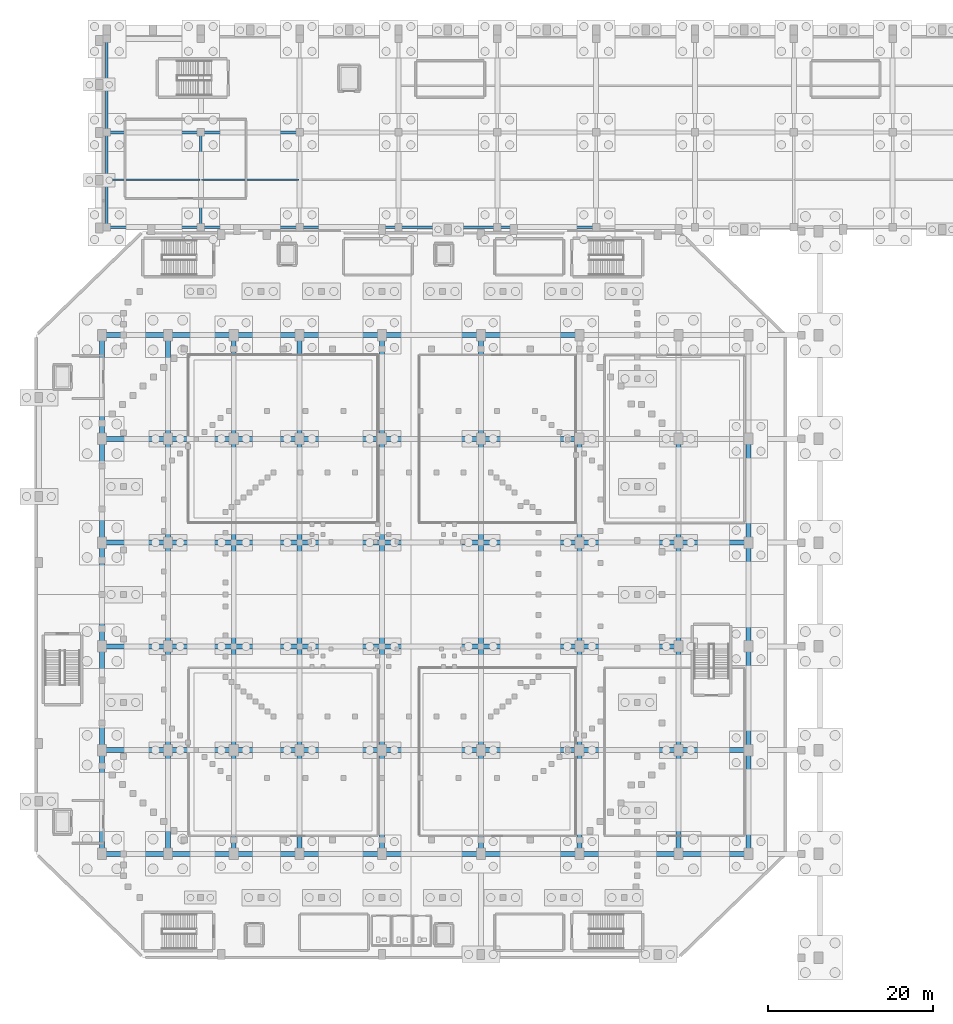
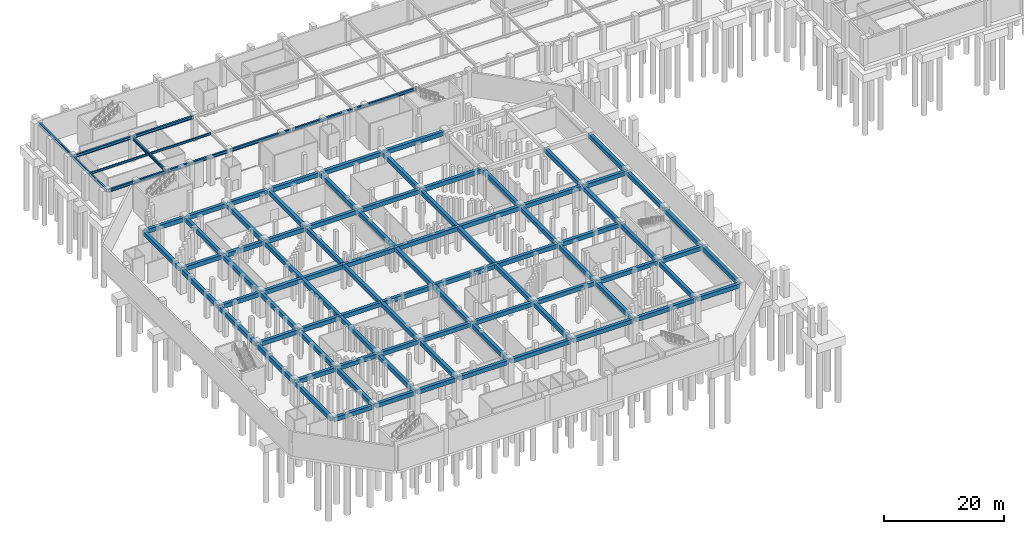
# One storey, part 11 of 27: 97 beams.
"""IFC4 building model written with IfcOpenShell, lengths in metres."""

from ifc_helpers import new_model, si_unit, derived_unit, direction, frame, origin, origin_2d, place, context, subcontext, project, spatial, rectangle, i_section, extrude, material, material_profile, profile_set, type_object, element, save


model = new_model("IFC4")

# Units and contexts
model_context = context("Model", 3, precision=1e-05, world=origin(), true_north=direction((0.0, 1.0)))
body_context = subcontext(model_context, "Body", "Model", "MODEL_VIEW")
ifc_project = project(units=[si_unit("LENGTHUNIT", "METRE"), si_unit("AREAUNIT", "SQUARE_METRE"), si_unit("VOLUMEUNIT", "CUBIC_METRE"), si_unit("PLANEANGLEUNIT", "RADIAN"), si_unit("MASSUNIT", "GRAM", prefix="KILO"), derived_unit("THERMALTRANSMITTANCEUNIT", [(si_unit("MASSUNIT", "GRAM", prefix="KILO"), 1), (si_unit("TIMEUNIT", "SECOND"), -3), (si_unit("THERMODYNAMICTEMPERATUREUNIT", "KELVIN"), -1)])], contexts=[model_context])

# Site, building, storey
site_placement = place(None, origin())
site = spatial("IfcSite", under=ifc_project, at=site_placement, CompositionType="ELEMENT")
building_placement = place(site_placement, origin())
building = spatial("IfcBuilding", under=site, at=building_placement, Name="Valcora Ridge Arena", CompositionType="ELEMENT")
storey_placement = place(building_placement, frame((0.0, 0.0, -5.39990234375)))
storey = spatial("IfcBuildingStorey", under=building, at=storey_placement, Name="B1", CompositionType="ELEMENT", Elevation=-5.39990234375)

# Beams
ifc_material_1 = material(Name="Concrete C40/50", Category="concrete")
ifc_material_profile_1 = material_profile(ifc_material_1, rectangle(XDim=0.60009765625, YDim=0.85009765625, at=origin_2d()), Name="RC 600x850")
ifc_profile_set_1 = profile_set([ifc_material_profile_1], Name="Concrete C40/50")
beam_type_1 = type_object("IfcBeamType", Name="TY-BEAM-BB-RC600-X", PredefinedType="BEAM", material=ifc_profile_set_1)
for number, where, z_axis, x_axis, name in (
    (1, (24.199951171875, 45.199951171875, 4.534912109375), (1.0, 0.0, 0.0), (0.0, 1.0, 0.0), "BB-RC600-X BEM-BB-RC600-X-0001"),
    (2, (32.199951171875, 45.199951171875, 4.534912109375), (1.0, 0.0, 0.0), (0.0, 1.0, 0.0), "BB-RC600-X BEM-BB-RC600-X-0002"),
    (3, (40.199951171875, 45.199951171875, 4.534912109375), (1.0, 0.0, 0.0), (0.0, 1.0, 0.0), "BB-RC600-X BEM-BB-RC600-X-0003"),
):
    element("IfcBeam", number, at=place(storey_placement, frame(where, z_axis=z_axis, x_axis=x_axis)), inside=storey, type_object=beam_type_1, Name=name, PredefinedType="BEAM", context=body_context, shape_type="SweptSolid", body=[
        extrude(rectangle(XDim=0.60009765625, YDim=0.85009765625, at=origin_2d()), origin(), (0.0, 0.0, 1.0), 7.60009765625),
    ])
beam_1_placement = place(storey_placement, frame((48.199951171875, 45.199951171875, 4.534912109375), z_axis=(1.0, 0.0, 0.0), x_axis=(0.0, 1.0, 0.0)))
element("IfcBeam", 4, at=beam_1_placement, inside=storey, type_object=beam_type_1, Name="BB-RC600-X BEM-BB-RC600-X-0004", PredefinedType="BEAM", context=body_context, shape_type="SweptSolid", body=[
    extrude(rectangle(XDim=0.60009765625, YDim=0.85009765625, at=origin_2d()), origin(), (0.0, 0.0, 1.0), 9.60009765625),
])
for number, where, z_axis, x_axis, name in (
    (5, (58.199951171875, 45.199951171875, 4.534912109375), (1.0, 0.0, 0.0), (0.0, 1.0, 0.0), "BB-RC600-X BEM-BB-RC600-X-0005"),
    (6, (70.199951171875, 45.199951171875, 4.534912109375), (1.0, 0.0, 0.0), (0.0, 1.0, 0.0), "BB-RC600-X BEM-BB-RC600-X-0006"),
    (7, (82.199951171875, 45.199951171875, 4.534912109375), (1.0, 0.0, 0.0), (0.0, 1.0, 0.0), "BB-RC600-X BEM-BB-RC600-X-0007"),
):
    element("IfcBeam", number, at=place(storey_placement, frame(where, z_axis=z_axis, x_axis=x_axis)), inside=storey, type_object=beam_type_1, Name=name, PredefinedType="BEAM", context=body_context, shape_type="SweptSolid", body=[
        extrude(rectangle(XDim=0.60009765625, YDim=0.85009765625, at=origin_2d()), origin(), (0.0, 0.0, 1.0), 11.60009765625),
    ])
beam_2_placement = place(storey_placement, frame((94.199951171875, 45.199951171875, 4.534912109375), z_axis=(1.0, 0.0, 0.0), x_axis=(0.0, 1.0, 0.0)))
element("IfcBeam", 8, at=beam_2_placement, inside=storey, type_object=beam_type_1, Name="BB-RC600-X BEM-BB-RC600-X-0008", PredefinedType="BEAM", context=body_context, shape_type="SweptSolid", body=[
    extrude(rectangle(XDim=0.60009765625, YDim=0.85009765625, at=origin_2d()), origin(), (0.0, 0.0, 1.0), 8.10009765625),
])
for number, where, z_axis, x_axis, name in (
    (9, (24.199951171875, 57.800048828125, 4.534912109375), (1.0, 0.0, 0.0), (0.0, 1.0, 0.0), "BB-RC600-X BEM-BB-RC600-X-0009"),
    (10, (32.199951171875, 57.800048828125, 4.534912109375), (1.0, 0.0, 0.0), (0.0, 1.0, 0.0), "BB-RC600-X BEM-BB-RC600-X-0010"),
    (11, (40.199951171875, 57.800048828125, 4.534912109375), (1.0, 0.0, 0.0), (0.0, 1.0, 0.0), "BB-RC600-X BEM-BB-RC600-X-0011"),
):
    element("IfcBeam", number, at=place(storey_placement, frame(where, z_axis=z_axis, x_axis=x_axis)), inside=storey, type_object=beam_type_1, Name=name, PredefinedType="BEAM", context=body_context, shape_type="SweptSolid", body=[
        extrude(rectangle(XDim=0.60009765625, YDim=0.85009765625, at=origin_2d()), origin(), (0.0, 0.0, 1.0), 7.60009765625),
    ])
beam_3_placement = place(storey_placement, frame((48.199951171875, 57.800048828125, 4.534912109375), z_axis=(1.0, 0.0, 0.0), x_axis=(0.0, 1.0, 0.0)))
element("IfcBeam", 12, at=beam_3_placement, inside=storey, type_object=beam_type_1, Name="BB-RC600-X BEM-BB-RC600-X-0012", PredefinedType="BEAM", context=body_context, shape_type="SweptSolid", body=[
    extrude(rectangle(XDim=0.60009765625, YDim=0.85009765625, at=origin_2d()), origin(), (0.0, 0.0, 1.0), 9.60009765625),
])
for number, where, z_axis, x_axis, name in (
    (13, (58.199951171875, 57.800048828125, 4.534912109375), (1.0, 0.0, 0.0), (0.0, 1.0, 0.0), "BB-RC600-X BEM-BB-RC600-X-0013"),
    (14, (70.199951171875, 57.800048828125, 4.534912109375), (1.0, 0.0, 0.0), (0.0, 1.0, 0.0), "BB-RC600-X BEM-BB-RC600-X-0014"),
    (15, (82.199951171875, 57.800048828125, 4.534912109375), (1.0, 0.0, 0.0), (0.0, 1.0, 0.0), "BB-RC600-X BEM-BB-RC600-X-0015"),
):
    element("IfcBeam", number, at=place(storey_placement, frame(where, z_axis=z_axis, x_axis=x_axis)), inside=storey, type_object=beam_type_1, Name=name, PredefinedType="BEAM", context=body_context, shape_type="SweptSolid", body=[
        extrude(rectangle(XDim=0.60009765625, YDim=0.85009765625, at=origin_2d()), origin(), (0.0, 0.0, 1.0), 11.60009765625),
    ])
for number, where, z_axis, x_axis, name in (
    (16, (24.199951171875, 70.39990234375, 4.534912109375), (1.0, 0.0, 0.0), (0.0, 1.0, 0.0), "BB-RC600-X BEM-BB-RC600-X-0016"),
    (17, (32.199951171875, 70.39990234375, 4.534912109375), (1.0, 0.0, 0.0), (0.0, 1.0, 0.0), "BB-RC600-X BEM-BB-RC600-X-0017"),
    (18, (40.199951171875, 70.39990234375, 4.534912109375), (1.0, 0.0, 0.0), (0.0, 1.0, 0.0), "BB-RC600-X BEM-BB-RC600-X-0018"),
):
    element("IfcBeam", number, at=place(storey_placement, frame(where, z_axis=z_axis, x_axis=x_axis)), inside=storey, type_object=beam_type_1, Name=name, PredefinedType="BEAM", context=body_context, shape_type="SweptSolid", body=[
        extrude(rectangle(XDim=0.60009765625, YDim=0.85009765625, at=origin_2d()), origin(), (0.0, 0.0, 1.0), 7.60009765625),
    ])
beam_4_placement = place(storey_placement, frame((48.199951171875, 70.39990234375, 4.534912109375), z_axis=(1.0, 0.0, 0.0), x_axis=(0.0, 1.0, 0.0)))
element("IfcBeam", 19, at=beam_4_placement, inside=storey, type_object=beam_type_1, Name="BB-RC600-X BEM-BB-RC600-X-0019", PredefinedType="BEAM", context=body_context, shape_type="SweptSolid", body=[
    extrude(rectangle(XDim=0.60009765625, YDim=0.85009765625, at=origin_2d()), origin(), (0.0, 0.0, 1.0), 9.60009765625),
])
for number, where, z_axis, x_axis, name in (
    (20, (58.199951171875, 70.39990234375, 4.534912109375), (1.0, 0.0, 0.0), (0.0, 1.0, 0.0), "BB-RC600-X BEM-BB-RC600-X-0020"),
    (21, (70.199951171875, 70.39990234375, 4.534912109375), (1.0, 0.0, 0.0), (0.0, 1.0, 0.0), "BB-RC600-X BEM-BB-RC600-X-0021"),
    (22, (82.199951171875, 70.39990234375, 4.534912109375), (1.0, 0.0, 0.0), (0.0, 1.0, 0.0), "BB-RC600-X BEM-BB-RC600-X-0022"),
):
    element("IfcBeam", number, at=place(storey_placement, frame(where, z_axis=z_axis, x_axis=x_axis)), inside=storey, type_object=beam_type_1, Name=name, PredefinedType="BEAM", context=body_context, shape_type="SweptSolid", body=[
        extrude(rectangle(XDim=0.60009765625, YDim=0.85009765625, at=origin_2d()), origin(), (0.0, 0.0, 1.0), 11.60009765625),
    ])
beam_5_placement = place(storey_placement, frame((94.199951171875, 70.39990234375, 4.534912109375), z_axis=(1.0, 0.0, 0.0), x_axis=(0.0, 1.0, 0.0)))
element("IfcBeam", 23, at=beam_5_placement, inside=storey, type_object=beam_type_1, Name="BB-RC600-X BEM-BB-RC600-X-0023", PredefinedType="BEAM", context=body_context, shape_type="SweptSolid", body=[
    extrude(rectangle(XDim=0.60009765625, YDim=0.85009765625, at=origin_2d()), origin(), (0.0, 0.0, 1.0), 8.10009765625),
])
for number, where, z_axis, x_axis, name in (
    (24, (24.199951171875, 83.0, 4.534912109375), (1.0, 0.0, 0.0), (0.0, 1.0, 0.0), "BB-RC600-X BEM-BB-RC600-X-0024"),
    (25, (32.199951171875, 83.0, 4.534912109375), (1.0, 0.0, 0.0), (0.0, 1.0, 0.0), "BB-RC600-X BEM-BB-RC600-X-0025"),
    (26, (40.199951171875, 83.0, 4.534912109375), (1.0, 0.0, 0.0), (0.0, 1.0, 0.0), "BB-RC600-X BEM-BB-RC600-X-0026"),
):
    element("IfcBeam", number, at=place(storey_placement, frame(where, z_axis=z_axis, x_axis=x_axis)), inside=storey, type_object=beam_type_1, Name=name, PredefinedType="BEAM", context=body_context, shape_type="SweptSolid", body=[
        extrude(rectangle(XDim=0.60009765625, YDim=0.85009765625, at=origin_2d()), origin(), (0.0, 0.0, 1.0), 7.60009765625),
    ])
beam_6_placement = place(storey_placement, frame((48.199951171875, 83.0, 4.534912109375), z_axis=(1.0, 0.0, 0.0), x_axis=(0.0, 1.0, 0.0)))
element("IfcBeam", 27, at=beam_6_placement, inside=storey, type_object=beam_type_1, Name="BB-RC600-X BEM-BB-RC600-X-0027", PredefinedType="BEAM", context=body_context, shape_type="SweptSolid", body=[
    extrude(rectangle(XDim=0.60009765625, YDim=0.85009765625, at=origin_2d()), origin(), (0.0, 0.0, 1.0), 9.60009765625),
])
for number, where, z_axis, x_axis, name in (
    (28, (58.199951171875, 83.0, 4.534912109375), (1.0, 0.0, 0.0), (0.0, 1.0, 0.0), "BB-RC600-X BEM-BB-RC600-X-0028"),
    (29, (70.199951171875, 83.0, 4.534912109375), (1.0, 0.0, 0.0), (0.0, 1.0, 0.0), "BB-RC600-X BEM-BB-RC600-X-0029"),
):
    element("IfcBeam", number, at=place(storey_placement, frame(where, z_axis=z_axis, x_axis=x_axis)), inside=storey, type_object=beam_type_1, Name=name, PredefinedType="BEAM", context=body_context, shape_type="SweptSolid", body=[
        extrude(rectangle(XDim=0.60009765625, YDim=0.85009765625, at=origin_2d()), origin(), (0.0, 0.0, 1.0), 11.60009765625),
    ])
ifc_material_profile_2 = material_profile(ifc_material_1, rectangle(XDim=0.60009765625, YDim=0.85009765625, at=origin_2d()), Name="RC 600x850")
ifc_profile_set_2 = profile_set([ifc_material_profile_2], Name="Concrete C40/50")
beam_type_2 = type_object("IfcBeamType", Name="TY-BEAM-BB-RC600-Y", PredefinedType="BEAM", material=ifc_profile_set_2)
beam_7_placement = place(storey_placement, frame((24.0, 32.800048828125, 4.534912109375), z_axis=(0.0, 1.0, 0.0), x_axis=(-1.0, 0.0, 0.0)))
element("IfcBeam", 30, at=beam_7_placement, inside=storey, type_object=beam_type_2, Name="BB-RC600-Y BEM-BB-RC600-Y-0001", PredefinedType="BEAM", context=body_context, shape_type="SweptSolid", body=[
    extrude(rectangle(XDim=0.60009765625, YDim=0.85009765625, at=origin_2d()), origin(), (0.0, 0.0, 1.0), 12.199951171875),
])
beam_8_placement = place(storey_placement, frame((24.0, 45.39990234375, 4.534912109375), z_axis=(0.0, 1.0, 0.0), x_axis=(-1.0, 0.0, 0.0)))
element("IfcBeam", 31, at=beam_8_placement, inside=storey, type_object=beam_type_2, Name="BB-RC600-Y BEM-BB-RC600-Y-0002", PredefinedType="BEAM", context=body_context, shape_type="SweptSolid", body=[
    extrude(rectangle(XDim=0.60009765625, YDim=0.85009765625, at=origin_2d()), origin(), (0.0, 0.0, 1.0), 12.2001953125),
])
for number, where, z_axis, x_axis, name in (
    (32, (24.0, 58.0, 4.534912109375), (0.0, 1.0, 0.0), (-1.0, 0.0, 0.0), "BB-RC600-Y BEM-BB-RC600-Y-0003"),
    (33, (24.0, 70.60009765625, 4.534912109375), (0.0, 1.0, 0.0), (-1.0, 0.0, 0.0), "BB-RC600-Y BEM-BB-RC600-Y-0004"),
    (34, (24.0, 83.199951171875, 4.534912109375), (0.0, 1.0, 0.0), (-1.0, 0.0, 0.0), "BB-RC600-Y BEM-BB-RC600-Y-0005"),
    (35, (32.0, 32.800048828125, 4.534912109375), (0.0, 1.0, 0.0), (-1.0, 0.0, 0.0), "BB-RC600-Y BEM-BB-RC600-Y-0006"),
):
    element("IfcBeam", number, at=place(storey_placement, frame(where, z_axis=z_axis, x_axis=x_axis)), inside=storey, type_object=beam_type_2, Name=name, PredefinedType="BEAM", context=body_context, shape_type="SweptSolid", body=[
        extrude(rectangle(XDim=0.60009765625, YDim=0.85009765625, at=origin_2d()), origin(), (0.0, 0.0, 1.0), 12.199951171875),
    ])
beam_9_placement = place(storey_placement, frame((32.0, 45.39990234375, 4.534912109375), z_axis=(0.0, 1.0, 0.0), x_axis=(-1.0, 0.0, 0.0)))
element("IfcBeam", 36, at=beam_9_placement, inside=storey, type_object=beam_type_2, Name="BB-RC600-Y BEM-BB-RC600-Y-0007", PredefinedType="BEAM", context=body_context, shape_type="SweptSolid", body=[
    extrude(rectangle(XDim=0.60009765625, YDim=0.85009765625, at=origin_2d()), origin(), (0.0, 0.0, 1.0), 12.2001953125),
])
for number, where, z_axis, x_axis, name in (
    (37, (32.0, 58.0, 4.534912109375), (0.0, 1.0, 0.0), (-1.0, 0.0, 0.0), "BB-RC600-Y BEM-BB-RC600-Y-0008"),
    (38, (32.0, 70.60009765625, 4.534912109375), (0.0, 1.0, 0.0), (-1.0, 0.0, 0.0), "BB-RC600-Y BEM-BB-RC600-Y-0009"),
    (39, (32.0, 83.199951171875, 4.534912109375), (0.0, 1.0, 0.0), (-1.0, 0.0, 0.0), "BB-RC600-Y BEM-BB-RC600-Y-0010"),
    (40, (40.0, 32.800048828125, 4.534912109375), (0.0, 1.0, 0.0), (-1.0, 0.0, 0.0), "BB-RC600-Y BEM-BB-RC600-Y-0011"),
):
    element("IfcBeam", number, at=place(storey_placement, frame(where, z_axis=z_axis, x_axis=x_axis)), inside=storey, type_object=beam_type_2, Name=name, PredefinedType="BEAM", context=body_context, shape_type="SweptSolid", body=[
        extrude(rectangle(XDim=0.60009765625, YDim=0.85009765625, at=origin_2d()), origin(), (0.0, 0.0, 1.0), 12.199951171875),
    ])
beam_10_placement = place(storey_placement, frame((40.0, 45.39990234375, 4.534912109375), z_axis=(0.0, 1.0, 0.0), x_axis=(-1.0, 0.0, 0.0)))
element("IfcBeam", 41, at=beam_10_placement, inside=storey, type_object=beam_type_2, Name="BB-RC600-Y BEM-BB-RC600-Y-0012", PredefinedType="BEAM", context=body_context, shape_type="SweptSolid", body=[
    extrude(rectangle(XDim=0.60009765625, YDim=0.85009765625, at=origin_2d()), origin(), (0.0, 0.0, 1.0), 12.2001953125),
])
for number, where, z_axis, x_axis, name in (
    (42, (40.0, 58.0, 4.534912109375), (0.0, 1.0, 0.0), (-1.0, 0.0, 0.0), "BB-RC600-Y BEM-BB-RC600-Y-0013"),
    (43, (40.0, 70.60009765625, 4.534912109375), (0.0, 1.0, 0.0), (-1.0, 0.0, 0.0), "BB-RC600-Y BEM-BB-RC600-Y-0014"),
    (44, (40.0, 83.199951171875, 4.534912109375), (0.0, 1.0, 0.0), (-1.0, 0.0, 0.0), "BB-RC600-Y BEM-BB-RC600-Y-0015"),
    (45, (48.0, 32.800048828125, 4.534912109375), (0.0, 1.0, 0.0), (-1.0, 0.0, 0.0), "BB-RC600-Y BEM-BB-RC600-Y-0016"),
):
    element("IfcBeam", number, at=place(storey_placement, frame(where, z_axis=z_axis, x_axis=x_axis)), inside=storey, type_object=beam_type_2, Name=name, PredefinedType="BEAM", context=body_context, shape_type="SweptSolid", body=[
        extrude(rectangle(XDim=0.60009765625, YDim=0.85009765625, at=origin_2d()), origin(), (0.0, 0.0, 1.0), 12.199951171875),
    ])
beam_11_placement = place(storey_placement, frame((48.0, 45.39990234375, 4.534912109375), z_axis=(0.0, 1.0, 0.0), x_axis=(-1.0, 0.0, 0.0)))
element("IfcBeam", 46, at=beam_11_placement, inside=storey, type_object=beam_type_2, Name="BB-RC600-Y BEM-BB-RC600-Y-0017", PredefinedType="BEAM", context=body_context, shape_type="SweptSolid", body=[
    extrude(rectangle(XDim=0.60009765625, YDim=0.85009765625, at=origin_2d()), origin(), (0.0, 0.0, 1.0), 12.2001953125),
])
for number, where, z_axis, x_axis, name in (
    (47, (48.0, 58.0, 4.534912109375), (0.0, 1.0, 0.0), (-1.0, 0.0, 0.0), "BB-RC600-Y BEM-BB-RC600-Y-0018"),
    (48, (48.0, 70.60009765625, 4.534912109375), (0.0, 1.0, 0.0), (-1.0, 0.0, 0.0), "BB-RC600-Y BEM-BB-RC600-Y-0019"),
    (49, (48.0, 83.199951171875, 4.534912109375), (0.0, 1.0, 0.0), (-1.0, 0.0, 0.0), "BB-RC600-Y BEM-BB-RC600-Y-0020"),
    (50, (58.0, 32.800048828125, 4.534912109375), (0.0, 1.0, 0.0), (-1.0, 0.0, 0.0), "BB-RC600-Y BEM-BB-RC600-Y-0021"),
):
    element("IfcBeam", number, at=place(storey_placement, frame(where, z_axis=z_axis, x_axis=x_axis)), inside=storey, type_object=beam_type_2, Name=name, PredefinedType="BEAM", context=body_context, shape_type="SweptSolid", body=[
        extrude(rectangle(XDim=0.60009765625, YDim=0.85009765625, at=origin_2d()), origin(), (0.0, 0.0, 1.0), 12.199951171875),
    ])
beam_12_placement = place(storey_placement, frame((58.0, 45.39990234375, 4.534912109375), z_axis=(0.0, 1.0, 0.0), x_axis=(-1.0, 0.0, 0.0)))
element("IfcBeam", 51, at=beam_12_placement, inside=storey, type_object=beam_type_2, Name="BB-RC600-Y BEM-BB-RC600-Y-0022", PredefinedType="BEAM", context=body_context, shape_type="SweptSolid", body=[
    extrude(rectangle(XDim=0.60009765625, YDim=0.85009765625, at=origin_2d()), origin(), (0.0, 0.0, 1.0), 12.2001953125),
])
for number, where, z_axis, x_axis, name in (
    (52, (58.0, 58.0, 4.534912109375), (0.0, 1.0, 0.0), (-1.0, 0.0, 0.0), "BB-RC600-Y BEM-BB-RC600-Y-0023"),
    (53, (58.0, 70.60009765625, 4.534912109375), (0.0, 1.0, 0.0), (-1.0, 0.0, 0.0), "BB-RC600-Y BEM-BB-RC600-Y-0024"),
    (54, (58.0, 83.199951171875, 4.534912109375), (0.0, 1.0, 0.0), (-1.0, 0.0, 0.0), "BB-RC600-Y BEM-BB-RC600-Y-0025"),
    (55, (70.0, 32.800048828125, 4.534912109375), (0.0, 1.0, 0.0), (-1.0, 0.0, 0.0), "BB-RC600-Y BEM-BB-RC600-Y-0026"),
):
    element("IfcBeam", number, at=place(storey_placement, frame(where, z_axis=z_axis, x_axis=x_axis)), inside=storey, type_object=beam_type_2, Name=name, PredefinedType="BEAM", context=body_context, shape_type="SweptSolid", body=[
        extrude(rectangle(XDim=0.60009765625, YDim=0.85009765625, at=origin_2d()), origin(), (0.0, 0.0, 1.0), 12.199951171875),
    ])
beam_13_placement = place(storey_placement, frame((70.0, 45.39990234375, 4.534912109375), z_axis=(0.0, 1.0, 0.0), x_axis=(-1.0, 0.0, 0.0)))
element("IfcBeam", 56, at=beam_13_placement, inside=storey, type_object=beam_type_2, Name="BB-RC600-Y BEM-BB-RC600-Y-0027", PredefinedType="BEAM", context=body_context, shape_type="SweptSolid", body=[
    extrude(rectangle(XDim=0.60009765625, YDim=0.85009765625, at=origin_2d()), origin(), (0.0, 0.0, 1.0), 12.2001953125),
])
for number, where, z_axis, x_axis, name in (
    (57, (70.0, 58.0, 4.534912109375), (0.0, 1.0, 0.0), (-1.0, 0.0, 0.0), "BB-RC600-Y BEM-BB-RC600-Y-0028"),
    (58, (70.0, 70.60009765625, 4.534912109375), (0.0, 1.0, 0.0), (-1.0, 0.0, 0.0), "BB-RC600-Y BEM-BB-RC600-Y-0029"),
    (59, (70.0, 83.199951171875, 4.534912109375), (0.0, 1.0, 0.0), (-1.0, 0.0, 0.0), "BB-RC600-Y BEM-BB-RC600-Y-0030"),
    (60, (82.0, 32.800048828125, 4.534912109375), (0.0, 1.0, 0.0), (-1.0, 0.0, 0.0), "BB-RC600-Y BEM-BB-RC600-Y-0031"),
):
    element("IfcBeam", number, at=place(storey_placement, frame(where, z_axis=z_axis, x_axis=x_axis)), inside=storey, type_object=beam_type_2, Name=name, PredefinedType="BEAM", context=body_context, shape_type="SweptSolid", body=[
        extrude(rectangle(XDim=0.60009765625, YDim=0.85009765625, at=origin_2d()), origin(), (0.0, 0.0, 1.0), 12.199951171875),
    ])
beam_14_placement = place(storey_placement, frame((82.0, 45.39990234375, 4.534912109375), z_axis=(0.0, 1.0, 0.0), x_axis=(-1.0, 0.0, 0.0)))
element("IfcBeam", 61, at=beam_14_placement, inside=storey, type_object=beam_type_2, Name="BB-RC600-Y BEM-BB-RC600-Y-0032", PredefinedType="BEAM", context=body_context, shape_type="SweptSolid", body=[
    extrude(rectangle(XDim=0.60009765625, YDim=0.85009765625, at=origin_2d()), origin(), (0.0, 0.0, 1.0), 12.2001953125),
])
for number, where, z_axis, x_axis, name in (
    (62, (82.0, 58.0, 4.534912109375), (0.0, 1.0, 0.0), (-1.0, 0.0, 0.0), "BB-RC600-Y BEM-BB-RC600-Y-0033"),
    (63, (82.0, 70.60009765625, 4.534912109375), (0.0, 1.0, 0.0), (-1.0, 0.0, 0.0), "BB-RC600-Y BEM-BB-RC600-Y-0034"),
    (64, (94.0, 32.800048828125, 4.534912109375), (0.0, 1.0, 0.0), (-1.0, 0.0, 0.0), "BB-RC600-Y BEM-BB-RC600-Y-0036"),
):
    element("IfcBeam", number, at=place(storey_placement, frame(where, z_axis=z_axis, x_axis=x_axis)), inside=storey, type_object=beam_type_2, Name=name, PredefinedType="BEAM", context=body_context, shape_type="SweptSolid", body=[
        extrude(rectangle(XDim=0.60009765625, YDim=0.85009765625, at=origin_2d()), origin(), (0.0, 0.0, 1.0), 12.199951171875),
    ])
beam_15_placement = place(storey_placement, frame((94.0, 45.39990234375, 4.534912109375), z_axis=(0.0, 1.0, 0.0), x_axis=(-1.0, 0.0, 0.0)))
element("IfcBeam", 65, at=beam_15_placement, inside=storey, type_object=beam_type_2, Name="BB-RC600-Y BEM-BB-RC600-Y-0037", PredefinedType="BEAM", context=body_context, shape_type="SweptSolid", body=[
    extrude(rectangle(XDim=0.60009765625, YDim=0.85009765625, at=origin_2d()), origin(), (0.0, 0.0, 1.0), 12.2001953125),
])
for number, where, z_axis, x_axis, name in (
    (66, (94.0, 58.0, 4.534912109375), (0.0, 1.0, 0.0), (-1.0, 0.0, 0.0), "BB-RC600-Y BEM-BB-RC600-Y-0038"),
    (67, (94.0, 70.60009765625, 4.534912109375), (0.0, 1.0, 0.0), (-1.0, 0.0, 0.0), "BB-RC600-Y BEM-BB-RC600-Y-0039"),
    (68, (102.5, 32.800048828125, 4.534912109375), (0.0, 1.0, 0.0), (-1.0, 0.0, 0.0), "BB-RC600-Y BEM-BB-RC600-Y-0041"),
):
    element("IfcBeam", number, at=place(storey_placement, frame(where, z_axis=z_axis, x_axis=x_axis)), inside=storey, type_object=beam_type_2, Name=name, PredefinedType="BEAM", context=body_context, shape_type="SweptSolid", body=[
        extrude(rectangle(XDim=0.60009765625, YDim=0.85009765625, at=origin_2d()), origin(), (0.0, 0.0, 1.0), 12.199951171875),
    ])
beam_16_placement = place(storey_placement, frame((102.5, 45.39990234375, 4.534912109375), z_axis=(0.0, 1.0, 0.0), x_axis=(-1.0, 0.0, 0.0)))
element("IfcBeam", 69, at=beam_16_placement, inside=storey, type_object=beam_type_2, Name="BB-RC600-Y BEM-BB-RC600-Y-0042", PredefinedType="BEAM", context=body_context, shape_type="SweptSolid", body=[
    extrude(rectangle(XDim=0.60009765625, YDim=0.85009765625, at=origin_2d()), origin(), (0.0, 0.0, 1.0), 12.2001953125),
])
for number, where, z_axis, x_axis, name in (
    (70, (102.5, 58.0, 4.534912109375), (0.0, 1.0, 0.0), (-1.0, 0.0, 0.0), "BB-RC600-Y BEM-BB-RC600-Y-0043"),
    (71, (102.5, 70.60009765625, 4.534912109375), (0.0, 1.0, 0.0), (-1.0, 0.0, 0.0), "BB-RC600-Y BEM-BB-RC600-Y-0044"),
):
    element("IfcBeam", number, at=place(storey_placement, frame(where, z_axis=z_axis, x_axis=x_axis)), inside=storey, type_object=beam_type_2, Name=name, PredefinedType="BEAM", context=body_context, shape_type="SweptSolid", body=[
        extrude(rectangle(XDim=0.60009765625, YDim=0.85009765625, at=origin_2d()), origin(), (0.0, 0.0, 1.0), 12.199951171875),
    ])
ifc_material_profile_3 = material_profile(ifc_material_1, rectangle(XDim=0.60009765625, YDim=0.85009765625, at=origin_2d()), Name="RC 600x850")
ifc_profile_set_3 = profile_set([ifc_material_profile_3], Name="Concrete C40/50")
beam_type_3 = type_object("IfcBeamType", Name="TY-BEAM-BEB-RC600", PredefinedType="BEAM", material=ifc_profile_set_3)
for number, where, z_axis, x_axis, name in (
    (72, (24.199951171875, 32.60009765625, 4.534912109375), (1.0, 0.0, 0.0), (0.0, 1.0, 0.0), "BEB-RC600 BEM-BEB-RC600-0001"),
    (73, (32.199951171875, 32.60009765625, 4.534912109375), (1.0, 0.0, 0.0), (0.0, 1.0, 0.0), "BEB-RC600 BEM-BEB-RC600-0002"),
    (74, (40.199951171875, 32.60009765625, 4.534912109375), (1.0, 0.0, 0.0), (0.0, 1.0, 0.0), "BEB-RC600 BEM-BEB-RC600-0003"),
):
    element("IfcBeam", number, at=place(storey_placement, frame(where, z_axis=z_axis, x_axis=x_axis)), inside=storey, type_object=beam_type_3, Name=name, PredefinedType="BEAM", context=body_context, shape_type="SweptSolid", body=[
        extrude(rectangle(XDim=0.60009765625, YDim=0.85009765625, at=origin_2d()), origin(), (0.0, 0.0, 1.0), 7.60009765625),
    ])
beam_17_placement = place(storey_placement, frame((48.199951171875, 32.60009765625, 4.534912109375), z_axis=(1.0, 0.0, 0.0), x_axis=(0.0, 1.0, 0.0)))
element("IfcBeam", 75, at=beam_17_placement, inside=storey, type_object=beam_type_3, Name="BEB-RC600 BEM-BEB-RC600-0004", PredefinedType="BEAM", context=body_context, shape_type="SweptSolid", body=[
    extrude(rectangle(XDim=0.60009765625, YDim=0.85009765625, at=origin_2d()), origin(), (0.0, 0.0, 1.0), 9.60009765625),
])
for number, where, z_axis, x_axis, name in (
    (76, (58.199951171875, 32.60009765625, 4.534912109375), (1.0, 0.0, 0.0), (0.0, 1.0, 0.0), "BEB-RC600 BEM-BEB-RC600-0005"),
    (77, (70.199951171875, 32.60009765625, 4.534912109375), (1.0, 0.0, 0.0), (0.0, 1.0, 0.0), "BEB-RC600 BEM-BEB-RC600-0006"),
    (78, (82.199951171875, 32.60009765625, 4.534912109375), (1.0, 0.0, 0.0), (0.0, 1.0, 0.0), "BEB-RC600 BEM-BEB-RC600-0007"),
):
    element("IfcBeam", number, at=place(storey_placement, frame(where, z_axis=z_axis, x_axis=x_axis)), inside=storey, type_object=beam_type_3, Name=name, PredefinedType="BEAM", context=body_context, shape_type="SweptSolid", body=[
        extrude(rectangle(XDim=0.60009765625, YDim=0.85009765625, at=origin_2d()), origin(), (0.0, 0.0, 1.0), 11.60009765625),
    ])
beam_18_placement = place(storey_placement, frame((94.199951171875, 32.60009765625, 4.534912109375), z_axis=(1.0, 0.0, 0.0), x_axis=(0.0, 1.0, 0.0)))
element("IfcBeam", 79, at=beam_18_placement, inside=storey, type_object=beam_type_3, Name="BEB-RC600 BEM-BEB-RC600-0008", PredefinedType="BEAM", context=body_context, shape_type="SweptSolid", body=[
    extrude(rectangle(XDim=0.60009765625, YDim=0.85009765625, at=origin_2d()), origin(), (0.0, 0.0, 1.0), 8.10009765625),
])
for number, where, z_axis, x_axis, name in (
    (80, (24.199951171875, 95.60009765625, 4.534912109375), (1.0, 0.0, 0.0), (0.0, 1.0, 0.0), "BEB-RC600 BEM-BEB-RC600-0009"),
    (81, (32.199951171875, 95.60009765625, 4.534912109375), (1.0, 0.0, 0.0), (0.0, 1.0, 0.0), "BEB-RC600 BEM-BEB-RC600-0010"),
    (82, (40.199951171875, 95.60009765625, 4.534912109375), (1.0, 0.0, 0.0), (0.0, 1.0, 0.0), "BEB-RC600 BEM-BEB-RC600-0011"),
):
    element("IfcBeam", number, at=place(storey_placement, frame(where, z_axis=z_axis, x_axis=x_axis)), inside=storey, type_object=beam_type_3, Name=name, PredefinedType="BEAM", context=body_context, shape_type="SweptSolid", body=[
        extrude(rectangle(XDim=0.60009765625, YDim=0.85009765625, at=origin_2d()), origin(), (0.0, 0.0, 1.0), 7.60009765625),
    ])
beam_19_placement = place(storey_placement, frame((48.199951171875, 95.60009765625, 4.534912109375), z_axis=(1.0, 0.0, 0.0), x_axis=(0.0, 1.0, 0.0)))
element("IfcBeam", 83, at=beam_19_placement, inside=storey, type_object=beam_type_3, Name="BEB-RC600 BEM-BEB-RC600-0012", PredefinedType="BEAM", context=body_context, shape_type="SweptSolid", body=[
    extrude(rectangle(XDim=0.60009765625, YDim=0.85009765625, at=origin_2d()), origin(), (0.0, 0.0, 1.0), 9.60009765625),
])
for number, where, z_axis, x_axis, name in (
    (84, (58.199951171875, 95.60009765625, 4.534912109375), (1.0, 0.0, 0.0), (0.0, 1.0, 0.0), "BEB-RC600 BEM-BEB-RC600-0013"),
    (85, (70.199951171875, 95.60009765625, 4.534912109375), (1.0, 0.0, 0.0), (0.0, 1.0, 0.0), "BEB-RC600 BEM-BEB-RC600-0014"),
):
    element("IfcBeam", number, at=place(storey_placement, frame(where, z_axis=z_axis, x_axis=x_axis)), inside=storey, type_object=beam_type_3, Name=name, PredefinedType="BEAM", context=body_context, shape_type="SweptSolid", body=[
        extrude(rectangle(XDim=0.60009765625, YDim=0.85009765625, at=origin_2d()), origin(), (0.0, 0.0, 1.0), 11.60009765625),
    ])
ifc_material_2 = material(Name="Steel ASTM A572 Grade 50", Category="steel")
ifc_material_profile_4 = material_profile(ifc_material_2, i_section(OverallWidth=0.324951171875, OverallDepth=0.612060546875, WebThickness=0.0126953125, FlangeThickness=0.01904296875, FilletRadius=0.01806640625, at=origin_2d()), Name="W24X104")
ifc_profile_set_4 = profile_set([ifc_material_profile_4], Name="Steel ASTM A572 Grade 50")
beam_type_4 = type_object("IfcBeamType", Name="TY-BEAM-BG-W24X104-X", PredefinedType="BEAM", material=ifc_profile_set_4)
beam_20_placement = place(storey_placement, frame((24.739990234375, 108.699951171875, 4.69384765625), z_axis=(1.0, 0.0, 0.0), x_axis=(0.0, 1.0, 0.0)))
element("IfcBeam", 86, at=beam_20_placement, inside=storey, type_object=beam_type_4, Name="BG-W24X104-X BEM-BG-W24X104-X-0004", PredefinedType="BEAM", context=body_context, shape_type="SweptSolid", body=[
    extrude(i_section(OverallWidth=0.324951171875, OverallDepth=0.612060546875, WebThickness=0.0126953125, FlangeThickness=0.01904296875, FilletRadius=0.01806640625, at=origin_2d()), origin(), (0.0, 0.0, 1.0), 11.1201171875),
])
for number, where, z_axis, x_axis, name in (
    (87, (36.139892578125, 108.699951171875, 4.69384765625), (1.0, 0.0, 0.0), (0.0, 1.0, 0.0), "BG-W24X104-X BEM-BG-W24X104-X-0005"),
    (88, (48.139892578125, 108.699951171875, 4.69384765625), (1.0, 0.0, 0.0), (0.0, 1.0, 0.0), "BG-W24X104-X BEM-BG-W24X104-X-0006"),
    (89, (60.139892578125, 108.699951171875, 4.69384765625), (1.0, 0.0, 0.0), (0.0, 1.0, 0.0), "BG-W24X104-X BEM-BG-W24X104-X-0007"),
    (90, (72.139892578125, 108.699951171875, 4.69384765625), (1.0, 0.0, 0.0), (0.0, 1.0, 0.0), "BG-W24X104-X BEM-BG-W24X104-X-0008"),
):
    element("IfcBeam", number, at=place(storey_placement, frame(where, z_axis=z_axis, x_axis=x_axis)), inside=storey, type_object=beam_type_4, Name=name, PredefinedType="BEAM", context=body_context, shape_type="SweptSolid", body=[
        extrude(i_section(OverallWidth=0.324951171875, OverallDepth=0.612060546875, WebThickness=0.0126953125, FlangeThickness=0.01904296875, FilletRadius=0.01806640625, at=origin_2d()), origin(), (0.0, 0.0, 1.0), 11.72021484375),
    ])
beam_21_placement = place(storey_placement, frame((24.739990234375, 120.199951171875, 4.69384765625), z_axis=(1.0, 0.0, 0.0), x_axis=(0.0, 1.0, 0.0)))
element("IfcBeam", 91, at=beam_21_placement, inside=storey, type_object=beam_type_4, Name="BG-W24X104-X BEM-BG-W24X104-X-0018", PredefinedType="BEAM", context=body_context, shape_type="SweptSolid", body=[
    extrude(i_section(OverallWidth=0.324951171875, OverallDepth=0.612060546875, WebThickness=0.0126953125, FlangeThickness=0.01904296875, FilletRadius=0.01806640625, at=origin_2d()), origin(), (0.0, 0.0, 1.0), 11.1201171875),
])
beam_22_placement = place(storey_placement, frame((36.139892578125, 120.199951171875, 4.69384765625), z_axis=(1.0, 0.0, 0.0), x_axis=(0.0, 1.0, 0.0)))
element("IfcBeam", 92, at=beam_22_placement, inside=storey, type_object=beam_type_4, Name="BG-W24X104-X BEM-BG-W24X104-X-0019", PredefinedType="BEAM", context=body_context, shape_type="SweptSolid", body=[
    extrude(i_section(OverallWidth=0.324951171875, OverallDepth=0.612060546875, WebThickness=0.0126953125, FlangeThickness=0.01904296875, FilletRadius=0.01806640625, at=origin_2d()), origin(), (0.0, 0.0, 1.0), 11.72021484375),
])
ifc_material_profile_5 = material_profile(ifc_material_2, i_section(OverallWidth=0.324951171875, OverallDepth=0.612060546875, WebThickness=0.0126953125, FlangeThickness=0.01904296875, FilletRadius=0.01806640625, at=origin_2d()), Name="W24X104")
ifc_profile_set_5 = profile_set([ifc_material_profile_5], Name="Steel ASTM A572 Grade 50")
beam_type_5 = type_object("IfcBeamType", Name="TY-BEAM-BG-W24X104-Y", PredefinedType="BEAM", material=ifc_profile_set_5)
beam_23_placement = place(storey_placement, frame((24.60009765625, 108.840087890625, 4.69384765625), z_axis=(0.0, 1.0, 0.0), x_axis=(-1.0, 0.0, 0.0)))
element("IfcBeam", 93, at=beam_23_placement, inside=storey, type_object=beam_type_5, Name="BG-W24X104-Y BEM-BG-W24X104-Y-0001", PredefinedType="BEAM", context=body_context, shape_type="SweptSolid", body=[
    extrude(i_section(OverallWidth=0.324951171875, OverallDepth=0.612060546875, WebThickness=0.0126953125, FlangeThickness=0.01904296875, FilletRadius=0.01806640625, at=origin_2d()), origin(), (0.0, 0.0, 1.0), 11.219970703125),
])
beam_24_placement = place(storey_placement, frame((24.60009765625, 120.340087890625, 4.69384765625), z_axis=(0.0, 1.0, 0.0), x_axis=(-1.0, 0.0, 0.0)))
element("IfcBeam", 94, at=beam_24_placement, inside=storey, type_object=beam_type_5, Name="BG-W24X104-Y BEM-BG-W24X104-Y-0002", PredefinedType="BEAM", context=body_context, shape_type="SweptSolid", body=[
    extrude(i_section(OverallWidth=0.324951171875, OverallDepth=0.612060546875, WebThickness=0.0126953125, FlangeThickness=0.01904296875, FilletRadius=0.01806640625, at=origin_2d()), origin(), (0.0, 0.0, 1.0), 11.06982421875),
])
beam_25_placement = place(storey_placement, frame((36.0, 108.840087890625, 4.69384765625), z_axis=(0.0, 1.0, 0.0), x_axis=(-1.0, 0.0, 0.0)))
element("IfcBeam", 95, at=beam_25_placement, inside=storey, type_object=beam_type_5, Name="BG-W24X104-Y BEM-BG-W24X104-Y-0003", PredefinedType="BEAM", context=body_context, shape_type="SweptSolid", body=[
    extrude(i_section(OverallWidth=0.324951171875, OverallDepth=0.612060546875, WebThickness=0.0126953125, FlangeThickness=0.01904296875, FilletRadius=0.01806640625, at=origin_2d()), origin(), (0.0, 0.0, 1.0), 11.219970703125),
])
ifc_material_profile_6 = material_profile(ifc_material_2, i_section(OverallWidth=0.18994140625, OverallDepth=0.45703125, WebThickness=0.009033203125, FlangeThickness=0.014404296875, FilletRadius=0.014892578125, at=origin_2d()), Name="W18X50")
ifc_profile_set_6 = profile_set([ifc_material_profile_6], Name="Steel ASTM A572 Grade 50")
beam_type_6 = type_object("IfcBeamType", Name="TY-BEAM-BJ-W18X50", PredefinedType="JOIST", material=ifc_profile_set_6)
beam_26_placement = place(storey_placement, frame((24.699951171875, 114.449951171875, 4.771484375), z_axis=(1.0, 0.0, 0.0), x_axis=(0.0, 1.0, 0.0)))
element("IfcBeam", 96, at=beam_26_placement, inside=storey, type_object=beam_type_6, Name="BJ-W18X50 BEM-BJ-W18X50-0001", PredefinedType="JOIST", context=body_context, shape_type="SweptSolid", body=[
    extrude(i_section(OverallWidth=0.18994140625, OverallDepth=0.45703125, WebThickness=0.009033203125, FlangeThickness=0.014404296875, FilletRadius=0.014892578125, at=origin_2d()), origin(), (0.0, 0.0, 1.0), 11.199951171875),
])
beam_27_placement = place(storey_placement, frame((36.10009765625, 114.449951171875, 4.771484375), z_axis=(1.0, 0.0, 0.0), x_axis=(0.0, 1.0, 0.0)))
element("IfcBeam", 97, at=beam_27_placement, inside=storey, type_object=beam_type_6, Name="BJ-W18X50 BEM-BJ-W18X50-0002", PredefinedType="JOIST", context=body_context, shape_type="SweptSolid", body=[
    extrude(i_section(OverallWidth=0.18994140625, OverallDepth=0.45703125, WebThickness=0.009033203125, FlangeThickness=0.014404296875, FilletRadius=0.014892578125, at=origin_2d()), origin(), (0.0, 0.0, 1.0), 11.7998046875),
])

save(model, "model.ifc")
